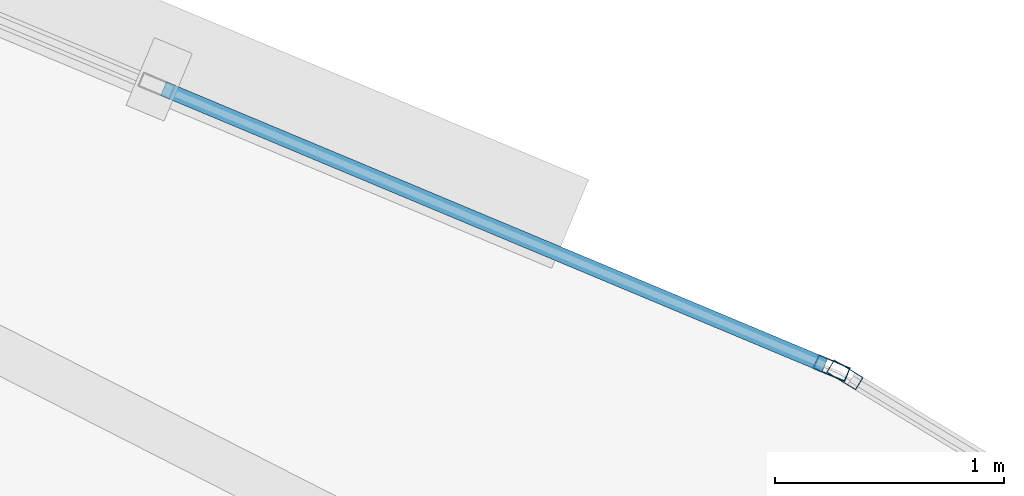
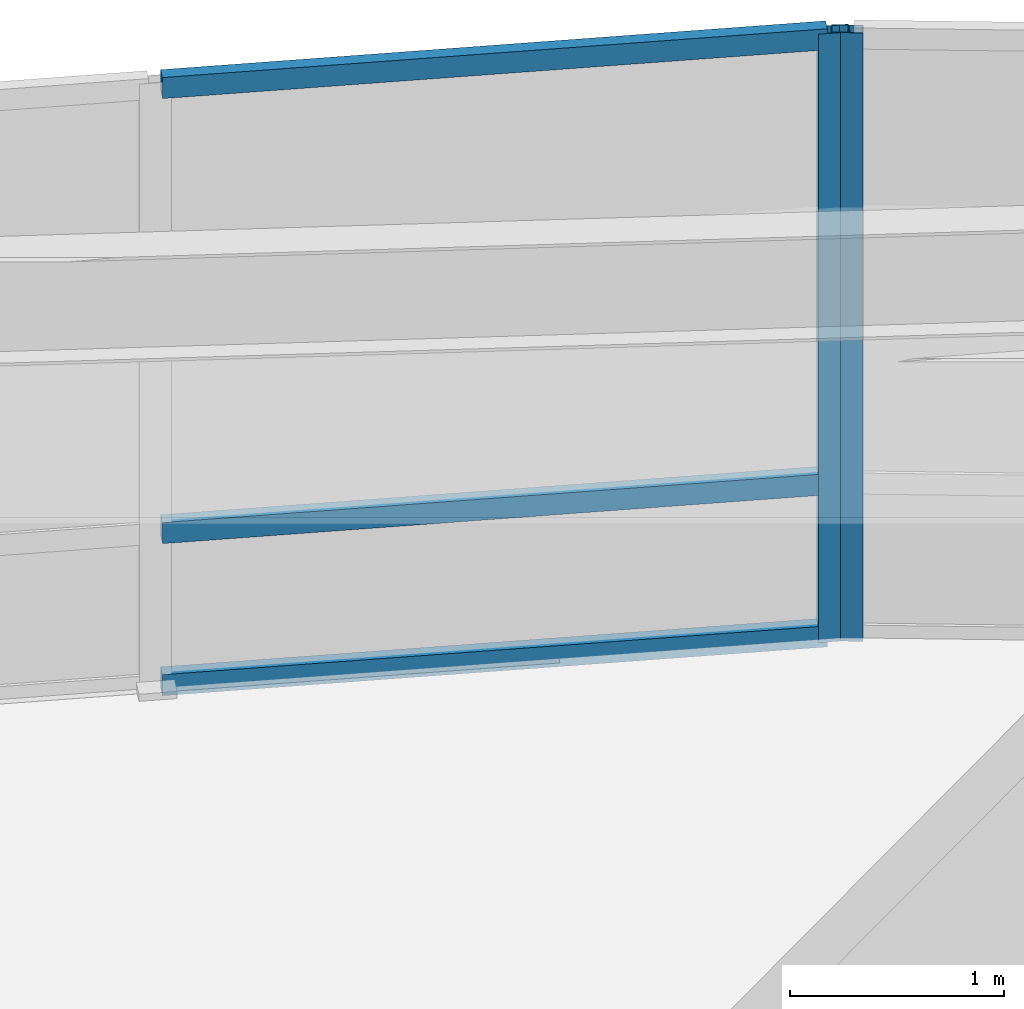
# One storey, part 13 of 18: 5 members, 2 elements without a shape of their own.
"""IFC4 building model written with IfcOpenShell, lengths in metres."""

from ifc_helpers import new_model, si_unit, direction, frame, origin, origin_2d, place, context, subcontext, project, spatial, hollow_rectangle, extrude, material, layer, layer_set, material_profile, profile_set, type_object, element, aggregate, save


model = new_model("IFC4")

# Units and contexts
model_context = context("Model", 3, precision=1e-05, world=origin(), true_north=direction((0.0, 1.0)))
body_context = subcontext(model_context, "Body", "Model", "MODEL_VIEW")
ifc_project = project(units=[si_unit("LENGTHUNIT", "METRE"), si_unit("AREAUNIT", "SQUARE_METRE"), si_unit("VOLUMEUNIT", "CUBIC_METRE"), si_unit("PLANEANGLEUNIT", "RADIAN"), si_unit("MASSUNIT", "GRAM", prefix="KILO")], contexts=[model_context])

# Site, building, storey
site_placement = place(None, origin())
site = spatial("IfcSite", under=ifc_project, at=site_placement, CompositionType="ELEMENT")
building_placement = place(site_placement, origin())
building = spatial("IfcBuilding", under=site, at=building_placement, Name="Menara Vayukalpa", CompositionType="ELEMENT")
storey_placement = place(building_placement, frame((0.0, 0.0, 92.820068359375)))
storey = spatial("IfcBuildingStorey", under=building, at=storey_placement, Name="L22", CompositionType="ELEMENT", Elevation=92.820068359375)

# Curtain wall, member
ifc_material_1 = material(Name="Anodised Terracotta Aluminium Alloy 6063-T6", Category="masonry")
ifc_layer = layer(ifc_material_1, 0.14990234375)
ifc_layer_set = layer_set([ifc_layer], Name="Anodised Terracotta Aluminium Alloy 6063-T6")
curtain_wall_type = type_object("IfcCurtainWallType", Name="CW-CW3", PredefinedType="USERDEFINED", material=ifc_layer_set)
curtain_wall_1_placement = place(storey_placement, origin())
curtain_wall_1 = element("IfcCurtainWall", 1, at=curtain_wall_1_placement, inside=storey, type_object=curtain_wall_type, Name="L22 Mid Rise Terracotta Ribbon Curtain Wall CW3 04", ObjectType="UNITISED", PredefinedType="USERDEFINED")
ifc_material_2 = material(Name="Anodised Terracotta Aluminium Alloy 6063-T6", Category="masonry")
ifc_material_profile_1 = material_profile(ifc_material_2, hollow_rectangle(XDim=0.06494140625, YDim=0.14990234375, WallThickness=0.00341796875, at=origin_2d()), Name="ALU 65x150x3.5")
ifc_profile_set_1 = profile_set([ifc_material_profile_1], Name="Anodised Terracotta Aluminium Alloy 6063-T6")
member_type_1 = type_object("IfcMemberType", Name="CWM-CW3", PredefinedType="MULLION", material=ifc_profile_set_1)
member_1_placement = place(storey_placement, frame((29.8935546875, 31.938232421875, 0.0), z_axis=(0.0, 0.0, 1.0), x_axis=(-0.519182959112, -0.854663123674, 0.0)))
member_1 = element("IfcMember", 2, at=member_1_placement, type_object=member_type_1, Name="CW3 mullion 3", PredefinedType="MULLION", context=body_context, shape_type="SweptSolid", body=[
    extrude(hollow_rectangle(XDim=0.06494140625, YDim=0.14990234375, WallThickness=0.00341796875, at=origin_2d()), origin(), (0.0, 0.0, 1.0), 3.469970703125),
])
aggregate(curtain_wall_1, [member_1])

# Curtain wall, members
curtain_wall_2_placement = place(storey_placement, origin())
curtain_wall_2 = element("IfcCurtainWall", 3, at=curtain_wall_2_placement, inside=storey, type_object=curtain_wall_type, Name="L22 Mid Rise Terracotta Ribbon Curtain Wall CW3 05", ObjectType="UNITISED", PredefinedType="USERDEFINED")
member_2_placement = place(storey_placement, frame((29.8359375, 31.9677734375, 0.0), z_axis=(0.0, 0.0, 1.0), x_axis=(-0.38589358437, -0.922543300632, 0.0)))
member_2 = element("IfcMember", 4, at=member_2_placement, type_object=member_type_1, Name="CW3 mullion 1", PredefinedType="MULLION", context=body_context, shape_type="SweptSolid", body=[
    extrude(hollow_rectangle(XDim=0.06494140625, YDim=0.14990234375, WallThickness=0.00341796875, at=origin_2d()), origin(), (0.0, 0.0, 1.0), 3.469970703125),
])
ifc_material_3 = material(Name="Anodised Terracotta Aluminium Alloy 6063-T6", Category="masonry")
ifc_material_profile_2 = material_profile(ifc_material_3, hollow_rectangle(XDim=0.06494140625, YDim=0.1201171875, WallThickness=0.00341796875, at=origin_2d()), Name="ALU 65x120x3.5")
ifc_profile_set_2 = profile_set([ifc_material_profile_2], Name="Anodised Terracotta Aluminium Alloy 6063-T6")
member_type_2 = type_object("IfcMemberType", Name="CWT-CW3", PredefinedType="USERDEFINED", material=ifc_profile_set_2)
member_3_placement = place(storey_placement, frame((29.805908203125, 31.980224609375, 0.032470703125), z_axis=(-0.922517812792, 0.385954511673, 0.0), x_axis=(-0.385954511673, -0.922517812792, 0.0)))
member_3 = element("IfcMember", 5, at=member_3_placement, type_object=member_type_2, Name="CW3 transom 1.1", ObjectType="TRANSOM", PredefinedType="USERDEFINED", context=body_context, shape_type="SweptSolid", body=[
    extrude(hollow_rectangle(XDim=0.06494140625, YDim=0.1201171875, WallThickness=0.00341796875, at=origin_2d()), origin(), (0.0, 0.0, 1.0), 3.1318359375),
])
member_4_placement = place(storey_placement, frame((29.805908203125, 31.980224609375, 0.89990234375), z_axis=(-0.922517812792, 0.385954511673, 0.0), x_axis=(-0.385954511673, -0.922517812792, 0.0)))
member_4 = element("IfcMember", 6, at=member_4_placement, type_object=member_type_2, Name="CW3 transom 1.2", ObjectType="TRANSOM", PredefinedType="USERDEFINED", context=body_context, shape_type="SweptSolid", body=[
    extrude(hollow_rectangle(XDim=0.06494140625, YDim=0.1201171875, WallThickness=0.00341796875, at=origin_2d()), origin(), (0.0, 0.0, 1.0), 3.1318359375),
])
member_5_placement = place(storey_placement, frame((29.805908203125, 31.980224609375, 3.4375), z_axis=(-0.922517812792, 0.385954511673, 0.0), x_axis=(-0.385954511673, -0.922517812792, 0.0)))
member_5 = element("IfcMember", 7, at=member_5_placement, type_object=member_type_2, Name="CW3 transom 1.3", ObjectType="TRANSOM", PredefinedType="USERDEFINED", context=body_context, shape_type="SweptSolid", body=[
    extrude(hollow_rectangle(XDim=0.06494140625, YDim=0.1201171875, WallThickness=0.00341796875, at=origin_2d()), origin(), (0.0, 0.0, 1.0), 3.1318359375),
])
aggregate(curtain_wall_2, [member_2, member_3, member_4, member_5])

save(model, "model.ifc")
